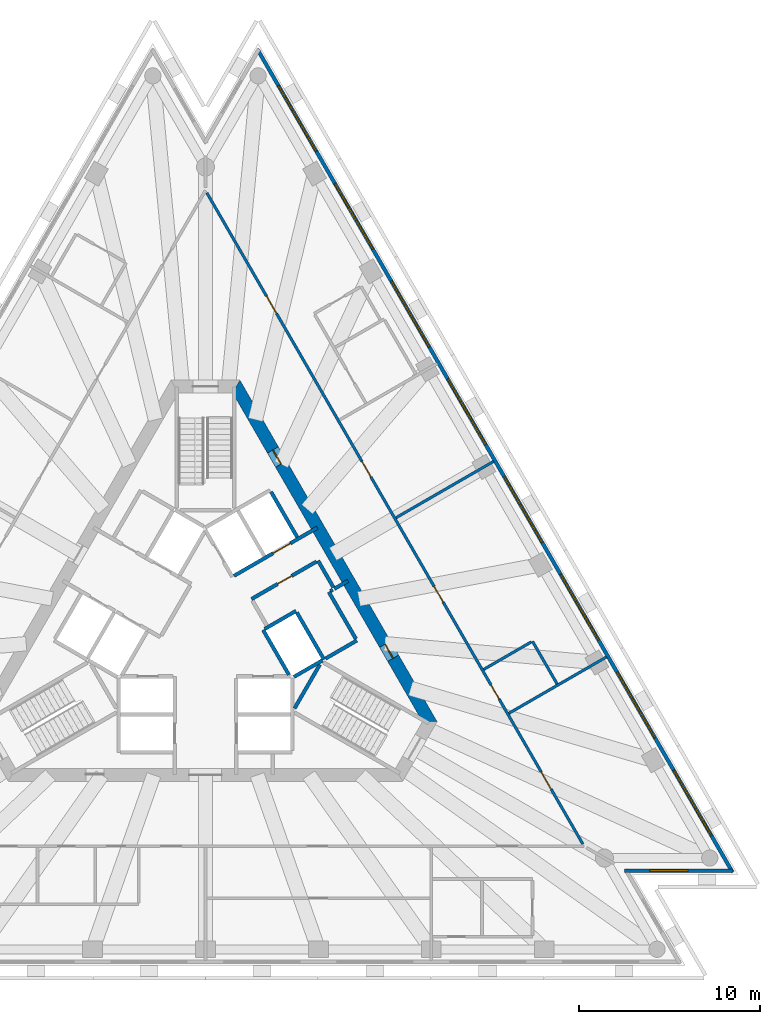
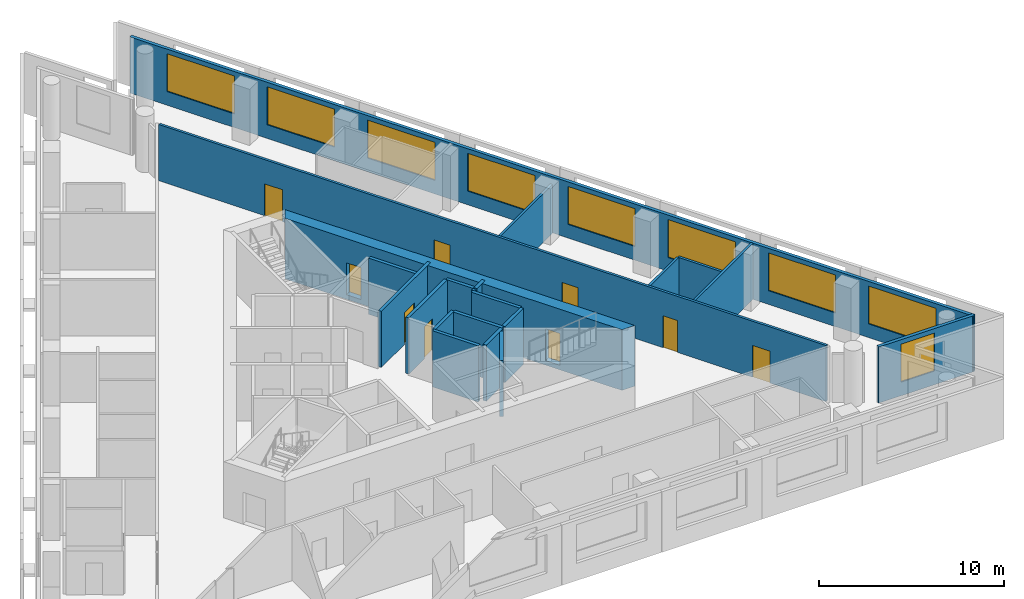
# One storey, part 6 of 10: 21 walls, 9 doors, 9 windows, 18 openings.
"""IFC4 building model written with IfcOpenShell, lengths in metres."""

from ifc_helpers import new_model, si_unit, direction, frame, frame_2d, origin, place, context, subcontext, project, spatial, polyline, rectangle, outline, extrude, material, layer, layer_set, layer_usage, type_object, element, fill, save


model = new_model("IFC4")

# Units and contexts
model_context = context("Model", 3, precision=1e-05, world=origin(), true_north=direction((0.0, 1.0)))
body_context = subcontext(model_context, "Body", "Model", "MODEL_VIEW")
ifc_project = project(units=[si_unit("LENGTHUNIT", "METRE"), si_unit("AREAUNIT", "SQUARE_METRE"), si_unit("VOLUMEUNIT", "CUBIC_METRE"), si_unit("PLANEANGLEUNIT", "RADIAN"), si_unit("MASSUNIT", "GRAM", prefix="KILO")], contexts=[model_context])

# Site, building, storey
site_placement = place(None, origin())
site = spatial("IfcSite", under=ifc_project, at=site_placement, CompositionType="ELEMENT")
building_placement = place(site_placement, origin())
building = spatial("IfcBuilding", under=site, at=building_placement, Name="Triada Interchange Tower", CompositionType="ELEMENT")
storey_placement = place(building_placement, frame((0.0, 0.0, 195.300048828125)))
storey = spatial("IfcBuildingStorey", under=building, at=storey_placement, Name="L45", CompositionType="ELEMENT", Elevation=195.300048828125)

# Wall
ifc_material_1 = material(Name="Concrete C30/37", Category="concrete")
ifc_layer_1 = layer(ifc_material_1, 0.199951171875)
ifc_layer_set_1 = layer_set([ifc_layer_1], Name="CORE WALL 200 EI 120")
wall_type_1 = type_object("IfcWallType", Name="CORE WALL 200 EI 120", PredefinedType="SOLIDWALL", material=ifc_layer_set_1)
wall_1_placement = place(storey_placement, frame((3.18994140625, -0.125, 0.0), z_axis=(0.0, 0.0, 1.0), x_axis=(0.499988658015, -0.866031951983, 0.0)))
element("IfcWall", 1, at=wall_1_placement, inside=storey, type_object=wall_type_1, Name="Wall L44 56", PredefinedType="SOLIDWALL", context=body_context, shape_type="SweptSolid", body=[
    extrude(rectangle(XDim=2.85791015625, YDim=0.199951171875, at=frame_2d((1.428955078125, 0.0))), origin(), (0.0, 0.0, 1.0), 3.699951171875),
])

# Wall, opening, door
wall_2_placement = place(storey_placement, frame((1.577880859375, 2.8740234375, 0.0), z_axis=(0.0, 0.0, 1.0), x_axis=(0.866045911672, 0.499964477614, 0.0)))
wall_2 = element("IfcWall", 2, at=wall_2_placement, inside=storey, type_object=wall_type_1, Name="Wall L44 57", PredefinedType="SOLIDWALL", context=body_context, shape_type="SweptSolid", body=[
    extrude(rectangle(XDim=5.32666015625, YDim=0.199951171875, at=frame_2d((2.663330078125, 0.0))), origin(), (0.0, 0.0, 1.0), 3.699951171875),
])
opening_1_placement = place(wall_2_placement, frame((2.49609375, 0.0, 0.0)))
opening_1 = element("IfcOpeningElement", 3, at=opening_1_placement, cuts=wall_2, Name="Opening LD-HR6", PredefinedType="OPENING", context=body_context, shape_type="SweptSolid", body=[
    extrude(rectangle(XDim=1.10009765625, YDim=2.10009765625, at=frame_2d((0.550048828125, 1.050048828125))), frame((0.0, 0.10986328125, 0.0), z_axis=(0.0, -1.0, 0.0), x_axis=(1.0, 0.0, 0.0)), (0.0, 0.0, 1.0), 0.219970703125),
])
ifc_material_2 = material(Name="Steel S235 door leaf", Category="steel")
door_type_1 = type_object("IfcDoorType", Name="LIFT LANDING DOOR 1100 EI 120", OperationType="SLIDING_TO_LEFT", PredefinedType="DOOR", material=ifc_material_2)
door_1_placement = place(opening_1_placement, origin())
door_1 = element("IfcDoor", 4, at=door_1_placement, inside=storey, type_object=door_type_1, Name="HR6 landing door L45", OperationType="SLIDING_TO_LEFT", OverallHeight=2.10009765625, OverallWidth=1.10009765625, PredefinedType="DOOR", context=body_context, shape_type="SweptSolid", body=[
    extrude(rectangle(XDim=1.10009765625, YDim=2.10009765625, at=frame_2d((0.550048828125, 1.050048828125))), frame((0.0, 0.02490234375, 0.0), z_axis=(0.0, -1.0, 0.0), x_axis=(1.0, 0.0, 0.0)), (0.0, 0.0, 1.0), 0.050048828125),
])
fill(opening_1, door_1)

# Walls
wall_3_placement = place(storey_placement, frame((3.278076171875, -0.071044921875, 0.0), z_axis=(0.0, 0.0, 1.0), x_axis=(0.865855657918, 0.500293893279, 0.0)))
element("IfcWall", 5, at=wall_3_placement, inside=storey, type_object=wall_type_1, Name="Wall L44 60", PredefinedType="SOLIDWALL", context=body_context, shape_type="SweptSolid", body=[
    extrude(rectangle(XDim=1.996826171875, YDim=0.199951171875, at=frame_2d((0.99853515625, 0.0))), origin(), (0.0, 0.0, 1.0), 3.699951171875),
])
wall_4_placement = place(storey_placement, frame((7.12890625, 2.153076171875, 0.0), z_axis=(0.0, 0.0, 1.0), x_axis=(0.866083962871, 0.499898558967, 0.0)))
element("IfcWall", 6, at=wall_4_placement, inside=storey, type_object=wall_type_1, Name="Wall L44 61", PredefinedType="SOLIDWALL", context=body_context, shape_type="SweptSolid", body=[
    extrude(rectangle(XDim=0.880126953125, YDim=0.199951171875, at=frame_2d((0.43994140625, 0.0))), origin(), (0.0, 0.0, 1.0), 3.699951171875),
])
wall_5_placement = place(storey_placement, frame((3.6259765625, 7.52001953125, 0.0), z_axis=(0.0, 0.0, 1.0), x_axis=(0.500060147554, -0.865990674793, 0.0)))
element("IfcWall", 7, at=wall_5_placement, inside=storey, type_object=wall_type_1, Name="Wall L44 62", PredefinedType="SOLIDWALL", context=body_context, shape_type="SweptSolid", body=[
    extrude(rectangle(XDim=2.899658203125, YDim=0.199951171875, at=frame_2d((1.44970703125, 0.0))), origin(), (0.0, 0.0, 1.0), 3.699951171875),
])
wall_6_placement = place(storey_placement, frame((5.056884765625, 0.841064453125, 0.0), z_axis=(0.0, 0.0, 1.0), x_axis=(0.499990139034, -0.866031096941, 0.0)))
element("IfcWall", 8, at=wall_6_placement, inside=storey, type_object=wall_type_1, Name="Wall L44 64", PredefinedType="SOLIDWALL", context=body_context, shape_type="SweptSolid", body=[
    extrude(rectangle(XDim=3.0, YDim=0.199951171875, at=frame_2d((1.5, 0.0))), origin(), (0.0, 0.0, 1.0), 3.699951171875),
])
wall_7_placement = place(storey_placement, frame((4.89990234375, -2.714111328125, 0.0), z_axis=(0.0, 0.0, 1.0), x_axis=(0.865846928409, 0.500309001083, 0.0)))
element("IfcWall", 9, at=wall_7_placement, inside=storey, type_object=wall_type_1, Name="Wall L44 65", PredefinedType="SOLIDWALL", context=body_context, shape_type="SweptSolid", body=[
    extrude(rectangle(XDim=1.813232421875, YDim=0.199951171875, at=frame_2d((0.90673828125, 0.0))), origin(), (0.0, 0.0, 1.0), 3.699951171875),
])
wall_8_placement = place(storey_placement, frame((6.22900390625, 3.7119140625, 0.0), z_axis=(0.0, 0.0, 1.0), x_axis=(0.499875724984, -0.86609714211, 0.0)))
element("IfcWall", 10, at=wall_8_placement, inside=storey, type_object=wall_type_1, Name="Wall L44 66", PredefinedType="SOLIDWALL", context=body_context, shape_type="SweptSolid", body=[
    extrude(rectangle(XDim=1.70068359375, YDim=0.199951171875, at=frame_2d((0.850341796875, 0.0))), origin(), (0.0, 0.0, 1.0), 3.699951171875),
])

# Wall, opening, door
wall_9_placement = place(storey_placement, frame((2.548095703125, 1.5869140625, 0.0), z_axis=(0.0, 0.0, 1.0), x_axis=(0.866004344652, 0.500036473714, 0.0)))
wall_9 = element("IfcWall", 11, at=wall_9_placement, inside=storey, type_object=wall_type_1, Name="Wall L44 67", PredefinedType="SOLIDWALL", context=body_context, shape_type="SweptSolid", body=[
    extrude(rectangle(XDim=4.150146484375, YDim=0.199951171875, at=frame_2d((2.0751953125, 0.0))), origin(), (0.0, 0.0, 1.0), 3.699951171875),
])
opening_2_placement = place(wall_9_placement, frame((1.675048828125, 0.0, 0.0)))
opening_2 = element("IfcOpeningElement", 12, at=opening_2_placement, cuts=wall_9, Name="Opening D44-47", PredefinedType="OPENING", context=body_context, shape_type="SweptSolid", body=[
    extrude(rectangle(XDim=0.89990234375, YDim=2.10009765625, at=frame_2d((0.449951171875, 1.050048828125))), frame((0.0, 0.10986328125, 0.0), z_axis=(0.0, -1.0, 0.0), x_axis=(1.0, 0.0, 0.0)), (0.0, 0.0, 1.0), 0.219970703125),
])
door_type_2 = type_object("IfcDoorType", Name="SERVICE DOOR 900 EI2 45-C5S200", OperationType="NOTDEFINED", PredefinedType="DOOR", material=ifc_material_2)
door_2_placement = place(opening_2_placement, origin())
door_2 = element("IfcDoor", 13, at=door_2_placement, inside=storey, type_object=door_type_2, Name="Door D44-47 L45", OperationType="SINGLE_SWING_RIGHT", OverallHeight=2.10009765625, OverallWidth=0.89990234375, PredefinedType="DOOR", context=body_context, shape_type="SweptSolid", body=[
    extrude(rectangle(XDim=0.89990234375, YDim=2.10009765625, at=frame_2d((0.449951171875, 1.050048828125))), frame((0.0, 0.02490234375, 0.0), z_axis=(0.0, -1.0, 0.0), x_axis=(1.0, 0.0, 0.0)), (0.0, 0.0, 1.0), 0.050048828125),
])
fill(opening_2, door_2)

# Walls
ifc_layer_2 = layer(ifc_material_1, 0.199951171875)
ifc_layer_set_2 = layer_set([ifc_layer_2], Name="CORE WALL 200 EI 90")
wall_type_2 = type_object("IfcWallType", Name="CORE WALL 200 EI 90", PredefinedType="SOLIDWALL", material=ifc_layer_set_2)
wall_10_placement = place(storey_placement, frame((6.64208984375, -1.7080078125, 0.0), z_axis=(0.0, 0.0, 1.0), x_axis=(0.866043441391, 0.499968756647, 0.0)))
element("IfcWall", 14, at=wall_10_placement, inside=storey, type_object=wall_type_2, Name="Wall L44 85", PredefinedType="SOLIDWALL", context=body_context, shape_type="SweptSolid", body=[
    extrude(rectangle(XDim=2.002197265625, YDim=0.199951171875, at=frame_2d((1.0009765625, 0.0))), origin(), (0.0, 0.0, 1.0), 3.699951171875),
])
wall_11_placement = place(storey_placement, frame((6.825927734375, 1.97802734375, 0.0), z_axis=(0.0, 0.0, 1.0), x_axis=(0.499990139034, -0.866031096941, 0.0)))
element("IfcWall", 15, at=wall_11_placement, inside=storey, type_object=wall_type_2, Name="Wall L44 86", PredefinedType="SOLIDWALL", context=body_context, shape_type="SweptSolid", body=[
    extrude(rectangle(XDim=3.0, YDim=0.199951171875, at=frame_2d((1.5, 0.0))), origin(), (0.0, 0.0, 1.0), 3.699951171875),
])
wall_12_placement = place(storey_placement, frame((6.912109375, 2.028076171875, 0.0), z_axis=(0.0, 0.0, 1.0), x_axis=(0.866559367082, 0.499074005857, 0.0)))
element("IfcWall", 16, at=wall_12_placement, inside=storey, type_object=wall_type_2, Name="Wall L44 87", PredefinedType="SOLIDWALL", context=body_context, shape_type="SweptSolid", body=[
    extrude(rectangle(XDim=0.152099609375, YDim=0.199951171875, at=frame_2d((0.076171875, 0.0))), origin(), (0.0, 0.0, 1.0), 3.699951171875),
])
ifc_layer_3 = layer(ifc_material_1, 0.199951171875)
ifc_layer_set_3 = layer_set([ifc_layer_3], Name="CORE WALL 200 REI 240")
wall_type_3 = type_object("IfcWallType", Name="CORE WALL 200 REI 240", PredefinedType="SOLIDWALL", material=ifc_layer_set_3)
wall_13_placement = place(storey_placement, frame((4.928955078125, -4.4619140625, 0.0), z_axis=(0.0, 0.0, 1.0), x_axis=(0.500200581029, 0.865909567298, 0.0)))
element("IfcWall", 17, at=wall_13_placement, inside=storey, type_object=wall_type_3, Name="Wall L44 95", PredefinedType="SOLIDWALL", context=body_context, shape_type="SweptSolid", body=[
    extrude(rectangle(XDim=2.799072265625, YDim=0.199951171875, at=frame_2d((1.3994140625, 0.0))), origin(), (0.0, 0.0, 1.0), 3.699951171875),
])

# Wall, openings, doors
ifc_material_3 = material(Name="Concrete C50/60", Category="concrete")
ifc_layer_4 = layer(ifc_material_3, 0.699951171875)
ifc_layer_set_4 = layer_set([ifc_layer_4], Name="Core wall C 700")
wall_type_4 = type_object("IfcWallType", Name="Core wall C 700", PredefinedType="SHEAR", material=ifc_layer_set_4)
wall_14_placement = place(storey_placement, frame((12.4130859375, -5.199951171875, -0.300048828125), z_axis=(0.0, 0.0, 1.0), x_axis=(-0.500011533395, 0.866018744874, 0.0)))
wall_14 = element("IfcWall", 18, at=wall_14_placement, inside=storey, type_object=wall_type_4, Name="Core wall WC06 L45", PredefinedType="SHEAR", context=body_context, shape_type="SweptSolid", body=[
    extrude(outline(polyline([(-0.201904296875, -0.35009765625), (1.781982421875, -0.35009765625), (3.76611328125, -0.35009765625), (5.75, -0.35009765625), (7.734130859375, -0.35009765625), (9.718017578125, -0.35009765625), (11.7021484375, -0.35009765625), (13.68603515625, -0.35009765625), (15.670166015625, -0.35009765625), (17.654052734375, -0.35009765625), (19.63818359375, -0.35009765625), (21.6220703125, -0.35009765625), (21.218017578125, 0.35009765625), (19.307373046875, 0.35009765625), (17.39697265625, 0.35009765625), (15.486328125, 0.35009765625), (13.57568359375, 0.35009765625), (11.665283203125, 0.35009765625), (9.754638671875, 0.35009765625), (7.84423828125, 0.35009765625), (5.93359375, 0.35009765625), (4.02294921875, 0.35009765625), (2.112548828125, 0.35009765625), (0.201904296875, 0.35009765625), (-0.201904296875, -0.35009765625)])), origin(), (0.0, 0.0, 1.0), 4.0),
])
opening_3_placement = place(wall_14_placement, frame((4.054931640625, 0.0, 0.300048828125)))
opening_3 = element("IfcOpeningElement", 19, at=opening_3_placement, cuts=wall_14, Name="Opening D44-45", PredefinedType="OPENING", context=body_context, shape_type="SweptSolid", body=[
    extrude(rectangle(XDim=0.89990234375, YDim=2.10009765625, at=frame_2d((0.449951171875, 1.050048828125))), frame((0.0, 0.360107421875, 0.0), z_axis=(0.0, -1.0, 0.0), x_axis=(1.0, 0.0, 0.0)), (0.0, 0.0, 1.0), 0.72021484375),
])
opening_4_placement = place(wall_14_placement, frame((16.465087890625, 0.0, 0.300048828125)))
opening_4 = element("IfcOpeningElement", 20, at=opening_4_placement, cuts=wall_14, Name="Opening D44-46", PredefinedType="OPENING", context=body_context, shape_type="SweptSolid", body=[
    extrude(rectangle(XDim=0.89990234375, YDim=2.10009765625, at=frame_2d((0.449951171875, 1.050048828125))), frame((0.0, 0.360107421875, 0.0), z_axis=(0.0, -1.0, 0.0), x_axis=(1.0, 0.0, 0.0)), (0.0, 0.0, 1.0), 0.72021484375),
])
door_type_3 = type_object("IfcDoorType", Name="RISER ACCESS DOOR 900 EI2 45-C5S200", OperationType="NOTDEFINED", PredefinedType="DOOR", material=ifc_material_2)
door_3_placement = place(opening_4_placement, origin())
door_3 = element("IfcDoor", 21, at=door_3_placement, inside=storey, type_object=door_type_3, Name="Door D44-46 L45", OperationType="SINGLE_SWING_RIGHT", OverallHeight=2.10009765625, OverallWidth=0.89990234375, PredefinedType="DOOR", context=body_context, shape_type="SweptSolid", body=[
    extrude(rectangle(XDim=0.89990234375, YDim=2.10009765625, at=frame_2d((0.449951171875, 1.050048828125))), frame((0.0, 0.02490234375, 0.0), z_axis=(0.0, -1.0, 0.0), x_axis=(1.0, 0.0, 0.0)), (0.0, 0.0, 1.0), 0.050048828125),
])
fill(opening_4, door_3)
door_4_placement = place(opening_3_placement, origin())
door_4 = element("IfcDoor", 22, at=door_4_placement, inside=storey, type_object=door_type_2, Name="Door D44-45 L45", OperationType="SINGLE_SWING_RIGHT", OverallHeight=2.10009765625, OverallWidth=0.89990234375, PredefinedType="DOOR", context=body_context, shape_type="SweptSolid", body=[
    extrude(rectangle(XDim=0.89990234375, YDim=2.10009765625, at=frame_2d((0.449951171875, 1.050048828125))), frame((0.0, 0.02490234375, 0.0), z_axis=(0.0, -1.0, 0.0), x_axis=(1.0, 0.0, 0.0)), (0.0, 0.0, 1.0), 0.050048828125),
])
fill(opening_3, door_4)

# Wall, opening, window
ifc_material_4 = material(Name="Cement board")
ifc_layer_5 = layer(ifc_material_4, 0.02001953125, Name="Cement board cladding")
ifc_material_5 = material(Name="Sheathing board")
ifc_layer_6 = layer(ifc_material_5, 0.014892578125, Name="Sheathing board")
ifc_material_6 = material(Name="Mineral wool")
ifc_layer_7 = layer(ifc_material_6, 0.14990234375, Name="Mineral wool between steel studs")
ifc_material_7 = material(Name="Gypsum board")
ifc_layer_8 = layer(ifc_material_7, 0.014892578125, Name="Plasterboard lining")
ifc_layer_set_5 = layer_set([ifc_layer_5, ifc_layer_6, ifc_layer_7, ifc_layer_8], Name="External wall 200")
ifc_layer_usage = layer_usage(ifc_layer_set_5, "AXIS2", "POSITIVE", -0.10009765625)
wall_type_5 = type_object("IfcWallType", Name="External wall 200", PredefinedType="ELEMENTEDWALL", material=ifc_layer_set_5)
wall_15_placement = place(storey_placement, frame((23.201904296875, -13.447021484375, 0.0), z_axis=(0.0, 0.0, 1.0), x_axis=(1.0, 0.0, 0.0)))
wall_15 = element("IfcWall", 23, at=wall_15_placement, inside=storey, type_object=wall_type_5, material=ifc_layer_usage, Name="External wall L45 SE-2", PredefinedType="ELEMENTEDWALL", context=body_context, shape_type="SweptSolid", body=[
    extrude(rectangle(XDim=5.988037109375, YDim=0.199951171875, at=frame_2d((2.994140625, 0.0))), origin(), (0.0, 0.0, 1.0), 3.699951171875),
])
opening_5_placement = place(wall_15_placement, frame((1.389892578125, 0.0, 0.89990234375)))
opening_5 = element("IfcOpeningElement", 24, at=opening_5_placement, cuts=wall_15, Name="Opening WC20", PredefinedType="OPENING", context=body_context, shape_type="SweptSolid", body=[
    extrude(rectangle(XDim=2.10009765625, YDim=2.5, at=frame_2d((1.050048828125, 1.25))), frame((0.0, 0.10986328125, 0.0), z_axis=(0.0, -1.0, 0.0), x_axis=(1.0, 0.0, 0.0)), (0.0, 0.0, 1.0), 0.219970703125),
])
ifc_material_8 = material(Name="Double glazed aluminium window", Category="aluminium")
window_type_1 = type_object("IfcWindowType", Name="Ribbon window C pocket", PartitioningType="SINGLE_PANEL", PredefinedType="WINDOW", material=ifc_material_8)
window_1_placement = place(opening_5_placement, origin())
window_1 = element("IfcWindow", 25, at=window_1_placement, inside=storey, type_object=window_type_1, Name="Window L45 SE-2 1", OverallHeight=2.5, OverallWidth=2.10009765625, PartitioningType="SINGLE_PANEL", PredefinedType="WINDOW", context=body_context, shape_type="SweptSolid", body=[
    extrude(rectangle(XDim=2.10009765625, YDim=2.5, at=frame_2d((1.050048828125, 1.25))), frame((0.0, 0.030029296875, 0.0), z_axis=(0.0, -1.0, 0.0), x_axis=(1.0, 0.0, 0.0)), (0.0, 0.0, 1.0), 0.06005859375),
])
fill(opening_5, window_1)

# Wall, openings, windows
wall_16_placement = place(storey_placement, frame((29.1650390625, -13.52490234375, 0.0), z_axis=(0.0, 0.0, 1.0), x_axis=(-0.500008941164, 0.86602024154, 0.0)))
wall_16 = element("IfcWall", 26, at=wall_16_placement, inside=storey, type_object=wall_type_5, material=ifc_layer_usage, Name="External wall L45 NE", PredefinedType="ELEMENTEDWALL", context=body_context, shape_type="SweptSolid", body=[
    extrude(rectangle(XDim=52.5712890625, YDim=0.199951171875, at=frame_2d((26.28564453125, 0.0))), origin(), (0.0, 0.0, 1.0), 3.699951171875),
])
opening_6_placement = place(wall_16_placement, frame((2.326904296875, 0.0, 0.89990234375)))
opening_6 = element("IfcOpeningElement", 27, at=opening_6_placement, cuts=wall_16, Name="Opening WC21", PredefinedType="OPENING", context=body_context, shape_type="SweptSolid", body=[
    extrude(rectangle(XDim=4.199951171875, YDim=2.5, at=frame_2d((2.10009765625, 1.25))), frame((0.0, 0.10986328125, 0.0), z_axis=(0.0, -1.0, 0.0), x_axis=(1.0, 0.0, 0.0)), (0.0, 0.0, 1.0), 0.219970703125),
])
opening_7_placement = place(wall_16_placement, frame((8.574951171875, 0.0, 0.89990234375)))
opening_7 = element("IfcOpeningElement", 28, at=opening_7_placement, cuts=wall_16, Name="Opening WC22", PredefinedType="OPENING", context=body_context, shape_type="SweptSolid", body=[
    extrude(rectangle(XDim=4.199951171875, YDim=2.5, at=frame_2d((2.10009765625, 1.25))), frame((0.0, 0.10986328125, 0.0), z_axis=(0.0, -1.0, 0.0), x_axis=(1.0, 0.0, 0.0)), (0.0, 0.0, 1.0), 0.219970703125),
])
opening_8_placement = place(wall_16_placement, frame((14.822998046875, 0.0, 0.89990234375)))
opening_8 = element("IfcOpeningElement", 29, at=opening_8_placement, cuts=wall_16, Name="Opening WC23", PredefinedType="OPENING", context=body_context, shape_type="SweptSolid", body=[
    extrude(rectangle(XDim=4.199951171875, YDim=2.5, at=frame_2d((2.10009765625, 1.25))), frame((0.0, 0.10986328125, 0.0), z_axis=(0.0, -1.0, 0.0), x_axis=(1.0, 0.0, 0.0)), (0.0, 0.0, 1.0), 0.219970703125),
])
opening_9_placement = place(wall_16_placement, frame((21.072021484375, 0.0, 0.89990234375)))
opening_9 = element("IfcOpeningElement", 30, at=opening_9_placement, cuts=wall_16, Name="Opening WC24", PredefinedType="OPENING", context=body_context, shape_type="SweptSolid", body=[
    extrude(rectangle(XDim=4.199951171875, YDim=2.5, at=frame_2d((2.10009765625, 1.25))), frame((0.0, 0.10986328125, 0.0), z_axis=(0.0, -1.0, 0.0), x_axis=(1.0, 0.0, 0.0)), (0.0, 0.0, 1.0), 0.219970703125),
])
opening_10_placement = place(wall_16_placement, frame((27.320068359375, 0.0, 0.89990234375)))
opening_10 = element("IfcOpeningElement", 31, at=opening_10_placement, cuts=wall_16, Name="Opening WC25", PredefinedType="OPENING", context=body_context, shape_type="SweptSolid", body=[
    extrude(rectangle(XDim=4.199951171875, YDim=2.5, at=frame_2d((2.10009765625, 1.25))), frame((0.0, 0.10986328125, 0.0), z_axis=(0.0, -1.0, 0.0), x_axis=(1.0, 0.0, 0.0)), (0.0, 0.0, 1.0), 0.219970703125),
])
opening_11_placement = place(wall_16_placement, frame((33.568115234375, 0.0, 0.89990234375)))
opening_11 = element("IfcOpeningElement", 32, at=opening_11_placement, cuts=wall_16, Name="Opening WC26", PredefinedType="OPENING", context=body_context, shape_type="SweptSolid", body=[
    extrude(rectangle(XDim=4.199951171875, YDim=2.5, at=frame_2d((2.10009765625, 1.25))), frame((0.0, 0.10986328125, 0.0), z_axis=(0.0, -1.0, 0.0), x_axis=(1.0, 0.0, 0.0)), (0.0, 0.0, 1.0), 0.219970703125),
])
opening_12_placement = place(wall_16_placement, frame((39.81591796875, 0.0, 0.89990234375)))
opening_12 = element("IfcOpeningElement", 33, at=opening_12_placement, cuts=wall_16, Name="Opening WC27", PredefinedType="OPENING", context=body_context, shape_type="SweptSolid", body=[
    extrude(rectangle(XDim=4.199951171875, YDim=2.5, at=frame_2d((2.10009765625, 1.25))), frame((0.0, 0.10986328125, 0.0), z_axis=(0.0, -1.0, 0.0), x_axis=(1.0, 0.0, 0.0)), (0.0, 0.0, 1.0), 0.219970703125),
])
opening_13_placement = place(wall_16_placement, frame((46.06396484375, 0.0, 0.89990234375)))
opening_13 = element("IfcOpeningElement", 34, at=opening_13_placement, cuts=wall_16, Name="Opening WC28", PredefinedType="OPENING", context=body_context, shape_type="SweptSolid", body=[
    extrude(rectangle(XDim=4.199951171875, YDim=2.5, at=frame_2d((2.10009765625, 1.25))), frame((0.0, 0.10986328125, 0.0), z_axis=(0.0, -1.0, 0.0), x_axis=(1.0, 0.0, 0.0)), (0.0, 0.0, 1.0), 0.219970703125),
])
window_type_2 = type_object("IfcWindowType", Name="Ribbon window C face", PartitioningType="SINGLE_PANEL", PredefinedType="WINDOW", material=ifc_material_8)
window_2_placement = place(opening_6_placement, origin())
window_2 = element("IfcWindow", 35, at=window_2_placement, inside=storey, type_object=window_type_2, Name="Window L45 NE 1", OverallHeight=2.5, OverallWidth=4.199951171875, PartitioningType="SINGLE_PANEL", PredefinedType="WINDOW", context=body_context, shape_type="SweptSolid", body=[
    extrude(rectangle(XDim=4.199951171875, YDim=2.5, at=frame_2d((2.10009765625, 1.25))), frame((0.0, 0.030029296875, 0.0), z_axis=(0.0, -1.0, 0.0), x_axis=(1.0, 0.0, 0.0)), (0.0, 0.0, 1.0), 0.06005859375),
])
fill(opening_6, window_2)
window_3_placement = place(opening_7_placement, origin())
window_3 = element("IfcWindow", 36, at=window_3_placement, inside=storey, type_object=window_type_2, Name="Window L45 NE 2", OverallHeight=2.5, OverallWidth=4.199951171875, PartitioningType="SINGLE_PANEL", PredefinedType="WINDOW", context=body_context, shape_type="SweptSolid", body=[
    extrude(rectangle(XDim=4.199951171875, YDim=2.5, at=frame_2d((2.10009765625, 1.25))), frame((0.0, 0.030029296875, 0.0), z_axis=(0.0, -1.0, 0.0), x_axis=(1.0, 0.0, 0.0)), (0.0, 0.0, 1.0), 0.06005859375),
])
fill(opening_7, window_3)
window_4_placement = place(opening_8_placement, origin())
window_4 = element("IfcWindow", 37, at=window_4_placement, inside=storey, type_object=window_type_2, Name="Window L45 NE 3", OverallHeight=2.5, OverallWidth=4.199951171875, PartitioningType="SINGLE_PANEL", PredefinedType="WINDOW", context=body_context, shape_type="SweptSolid", body=[
    extrude(rectangle(XDim=4.199951171875, YDim=2.5, at=frame_2d((2.10009765625, 1.25))), frame((0.0, 0.030029296875, 0.0), z_axis=(0.0, -1.0, 0.0), x_axis=(1.0, 0.0, 0.0)), (0.0, 0.0, 1.0), 0.06005859375),
])
fill(opening_8, window_4)
window_5_placement = place(opening_9_placement, origin())
window_5 = element("IfcWindow", 38, at=window_5_placement, inside=storey, type_object=window_type_2, Name="Window L45 NE 4", OverallHeight=2.5, OverallWidth=4.199951171875, PartitioningType="SINGLE_PANEL", PredefinedType="WINDOW", context=body_context, shape_type="SweptSolid", body=[
    extrude(rectangle(XDim=4.199951171875, YDim=2.5, at=frame_2d((2.10009765625, 1.25))), frame((0.0, 0.030029296875, 0.0), z_axis=(0.0, -1.0, 0.0), x_axis=(1.0, 0.0, 0.0)), (0.0, 0.0, 1.0), 0.06005859375),
])
fill(opening_9, window_5)
window_6_placement = place(opening_10_placement, origin())
window_6 = element("IfcWindow", 39, at=window_6_placement, inside=storey, type_object=window_type_2, Name="Window L45 NE 5", OverallHeight=2.5, OverallWidth=4.199951171875, PartitioningType="SINGLE_PANEL", PredefinedType="WINDOW", context=body_context, shape_type="SweptSolid", body=[
    extrude(rectangle(XDim=4.199951171875, YDim=2.5, at=frame_2d((2.10009765625, 1.25))), frame((0.0, 0.030029296875, 0.0), z_axis=(0.0, -1.0, 0.0), x_axis=(1.0, 0.0, 0.0)), (0.0, 0.0, 1.0), 0.06005859375),
])
fill(opening_10, window_6)
window_7_placement = place(opening_11_placement, origin())
window_7 = element("IfcWindow", 40, at=window_7_placement, inside=storey, type_object=window_type_2, Name="Window L45 NE 6", OverallHeight=2.5, OverallWidth=4.199951171875, PartitioningType="SINGLE_PANEL", PredefinedType="WINDOW", context=body_context, shape_type="SweptSolid", body=[
    extrude(rectangle(XDim=4.199951171875, YDim=2.5, at=frame_2d((2.10009765625, 1.25))), frame((0.0, 0.030029296875, 0.0), z_axis=(0.0, -1.0, 0.0), x_axis=(1.0, 0.0, 0.0)), (0.0, 0.0, 1.0), 0.06005859375),
])
fill(opening_11, window_7)
window_8_placement = place(opening_12_placement, origin())
window_8 = element("IfcWindow", 41, at=window_8_placement, inside=storey, type_object=window_type_2, Name="Window L45 NE 7", OverallHeight=2.5, OverallWidth=4.199951171875, PartitioningType="SINGLE_PANEL", PredefinedType="WINDOW", context=body_context, shape_type="SweptSolid", body=[
    extrude(rectangle(XDim=4.199951171875, YDim=2.5, at=frame_2d((2.10009765625, 1.25))), frame((0.0, 0.030029296875, 0.0), z_axis=(0.0, -1.0, 0.0), x_axis=(1.0, 0.0, 0.0)), (0.0, 0.0, 1.0), 0.06005859375),
])
fill(opening_12, window_8)
window_9_placement = place(opening_13_placement, origin())
window_9 = element("IfcWindow", 42, at=window_9_placement, inside=storey, type_object=window_type_2, Name="Window L45 NE 8", OverallHeight=2.5, OverallWidth=4.199951171875, PartitioningType="SINGLE_PANEL", PredefinedType="WINDOW", context=body_context, shape_type="SweptSolid", body=[
    extrude(rectangle(XDim=4.199951171875, YDim=2.5, at=frame_2d((2.10009765625, 1.25))), frame((0.0, 0.030029296875, 0.0), z_axis=(0.0, -1.0, 0.0), x_axis=(1.0, 0.0, 0.0)), (0.0, 0.0, 1.0), 0.06005859375),
])
fill(opening_13, window_9)

# Wall
ifc_material_9 = material(Name="Gypsum board partition")
ifc_layer_9 = layer(ifc_material_9, 0.14990234375)
ifc_layer_set_6 = layer_set([ifc_layer_9], Name="PARTITION 150 EI 180")
wall_type_6 = type_object("IfcWallType", Name="PARTITION 150 EI 180", PredefinedType="PARTITIONING", material=ifc_layer_set_6)
wall_17_placement = place(storey_placement, frame((10.5439453125, 6.0869140625, 0.0), z_axis=(0.0, 0.0, 1.0), x_axis=(0.86601944389, 0.500010322698, 0.0)))
element("IfcWall", 43, at=wall_17_placement, inside=storey, type_object=wall_type_6, Name="Wall L44 2", PredefinedType="PARTITIONING", context=body_context, shape_type="SweptSolid", body=[
    extrude(rectangle(XDim=6.239990234375, YDim=0.14990234375, at=frame_2d((3.1201171875, 0.0))), origin(), (0.0, 0.0, 1.0), 3.199951171875),
])

# Wall, openings, doors
wall_18_placement = place(storey_placement, frame((0.074951171875, 24.070068359375, 0.0), z_axis=(0.0, 0.0, 1.0), x_axis=(0.49999939571, -0.866025752671, 0.0)))
wall_18 = element("IfcWall", 44, at=wall_18_placement, inside=storey, type_object=wall_type_6, Name="Wall L44 21", PredefinedType="PARTITIONING", context=body_context, shape_type="SweptSolid", body=[
    extrude(rectangle(XDim=41.6142578125, YDim=0.14990234375, at=frame_2d((20.80712890625, 0.0))), origin(), (0.0, 0.0, 1.0), 3.699951171875),
])
opening_14_placement = place(wall_18_placement, frame((37.014892578125, 0.0, 0.0)))
opening_14 = element("IfcOpeningElement", 45, at=opening_14_placement, cuts=wall_18, Name="Opening D44-21", PredefinedType="OPENING", context=body_context, shape_type="SweptSolid", body=[
    extrude(rectangle(XDim=1.10009765625, YDim=2.10009765625, at=frame_2d((0.550048828125, 1.050048828125))), frame((0.0, 0.0849609375, 0.0), z_axis=(0.0, -1.0, 0.0), x_axis=(1.0, 0.0, 0.0)), (0.0, 0.0, 1.0), 0.169921875),
])
opening_15_placement = place(wall_18_placement, frame((25.154052734375, 0.0, 0.0)))
opening_15 = element("IfcOpeningElement", 46, at=opening_15_placement, cuts=wall_18, Name="Opening D44-22", PredefinedType="OPENING", context=body_context, shape_type="SweptSolid", body=[
    extrude(rectangle(XDim=1.0, YDim=2.10009765625, at=frame_2d((0.5, 1.050048828125))), frame((0.0, 0.0849609375, 0.0), z_axis=(0.0, -1.0, 0.0), x_axis=(1.0, 0.0, 0.0)), (0.0, 0.0, 1.0), 0.169921875),
])
opening_16_placement = place(wall_18_placement, frame((31.4541015625, 0.0, 0.0)))
opening_16 = element("IfcOpeningElement", 47, at=opening_16_placement, cuts=wall_18, Name="Opening D44-23", PredefinedType="OPENING", context=body_context, shape_type="SweptSolid", body=[
    extrude(rectangle(XDim=0.89990234375, YDim=2.10009765625, at=frame_2d((0.449951171875, 1.050048828125))), frame((0.0, 0.0849609375, 0.0), z_axis=(0.0, -1.0, 0.0), x_axis=(1.0, 0.0, 0.0)), (0.0, 0.0, 1.0), 0.169921875),
])
opening_17_placement = place(wall_18_placement, frame((17.156982421875, 0.0, 0.0)))
opening_17 = element("IfcOpeningElement", 48, at=opening_17_placement, cuts=wall_18, Name="Opening D44-24", PredefinedType="OPENING", context=body_context, shape_type="SweptSolid", body=[
    extrude(rectangle(XDim=1.0, YDim=2.10009765625, at=frame_2d((0.5, 1.050048828125))), frame((0.0, 0.0849609375, 0.0), z_axis=(0.0, -1.0, 0.0), x_axis=(1.0, 0.0, 0.0)), (0.0, 0.0, 1.0), 0.169921875),
])
opening_18_placement = place(wall_18_placement, frame((6.60888671875, 0.0, 0.0)))
opening_18 = element("IfcOpeningElement", 49, at=opening_18_placement, cuts=wall_18, Name="Opening D44-25", PredefinedType="OPENING", context=body_context, shape_type="SweptSolid", body=[
    extrude(rectangle(XDim=1.10009765625, YDim=2.10009765625, at=frame_2d((0.550048828125, 1.050048828125))), frame((0.0, 0.0849609375, 0.0), z_axis=(0.0, -1.0, 0.0), x_axis=(1.0, 0.0, 0.0)), (0.0, 0.0, 1.0), 0.169921875),
])
door_type_4 = type_object("IfcDoorType", Name="ROOM DOOR 1000 EI2 90-C5S200", OperationType="NOTDEFINED", PredefinedType="DOOR", material=ifc_material_2)
door_5_placement = place(opening_15_placement, origin())
door_5 = element("IfcDoor", 50, at=door_5_placement, inside=storey, type_object=door_type_4, Name="Door D44-22 L45", OperationType="SINGLE_SWING_RIGHT", OverallHeight=2.10009765625, OverallWidth=1.0, PredefinedType="DOOR", context=body_context, shape_type="SweptSolid", body=[
    extrude(rectangle(XDim=1.0, YDim=2.10009765625, at=frame_2d((0.5, 1.050048828125))), frame((0.0, 0.02490234375, 0.0), z_axis=(0.0, -1.0, 0.0), x_axis=(1.0, 0.0, 0.0)), (0.0, 0.0, 1.0), 0.050048828125),
])
fill(opening_15, door_5)
door_6_placement = place(opening_17_placement, origin())
door_6 = element("IfcDoor", 51, at=door_6_placement, inside=storey, type_object=door_type_4, Name="Door D44-24 L45", OperationType="SINGLE_SWING_RIGHT", OverallHeight=2.10009765625, OverallWidth=1.0, PredefinedType="DOOR", context=body_context, shape_type="SweptSolid", body=[
    extrude(rectangle(XDim=1.0, YDim=2.10009765625, at=frame_2d((0.5, 1.050048828125))), frame((0.0, 0.02490234375, 0.0), z_axis=(0.0, -1.0, 0.0), x_axis=(1.0, 0.0, 0.0)), (0.0, 0.0, 1.0), 0.050048828125),
])
fill(opening_17, door_6)
door_type_5 = type_object("IfcDoorType", Name="ROOM DOOR 900 EI2 90-C5S200", OperationType="NOTDEFINED", PredefinedType="DOOR", material=ifc_material_2)
door_7_placement = place(opening_16_placement, origin())
door_7 = element("IfcDoor", 52, at=door_7_placement, inside=storey, type_object=door_type_5, Name="Door D44-23 L45", OperationType="SINGLE_SWING_RIGHT", OverallHeight=2.10009765625, OverallWidth=0.89990234375, PredefinedType="DOOR", context=body_context, shape_type="SweptSolid", body=[
    extrude(rectangle(XDim=0.89990234375, YDim=2.10009765625, at=frame_2d((0.449951171875, 1.050048828125))), frame((0.0, 0.02490234375, 0.0), z_axis=(0.0, -1.0, 0.0), x_axis=(1.0, 0.0, 0.0)), (0.0, 0.0, 1.0), 0.050048828125),
])
fill(opening_16, door_7)
door_type_6 = type_object("IfcDoorType", Name="TENANCY ENTRANCE DOOR 1100 EI2 90-C5S200", OperationType="NOTDEFINED", PredefinedType="DOOR", material=ifc_material_2)
door_8_placement = place(opening_14_placement, origin())
door_8 = element("IfcDoor", 53, at=door_8_placement, inside=storey, type_object=door_type_6, Name="Door D44-21 L45", OperationType="SINGLE_SWING_RIGHT", OverallHeight=2.10009765625, OverallWidth=1.10009765625, PredefinedType="DOOR", context=body_context, shape_type="SweptSolid", body=[
    extrude(rectangle(XDim=1.10009765625, YDim=2.10009765625, at=frame_2d((0.550048828125, 1.050048828125))), frame((0.0, 0.02490234375, 0.0), z_axis=(0.0, -1.0, 0.0), x_axis=(1.0, 0.0, 0.0)), (0.0, 0.0, 1.0), 0.050048828125),
])
fill(opening_14, door_8)
door_9_placement = place(opening_18_placement, origin())
door_9 = element("IfcDoor", 54, at=door_9_placement, inside=storey, type_object=door_type_6, Name="Door D44-25 L45", OperationType="SINGLE_SWING_LEFT", OverallHeight=2.10009765625, OverallWidth=1.10009765625, PredefinedType="DOOR", context=body_context, shape_type="SweptSolid", body=[
    extrude(rectangle(XDim=1.10009765625, YDim=2.10009765625, at=frame_2d((0.550048828125, 1.050048828125))), frame((0.0, 0.02490234375, 0.0), z_axis=(0.0, -1.0, 0.0), x_axis=(1.0, 0.0, 0.0)), (0.0, 0.0, 1.0), 0.050048828125),
])
fill(opening_18, door_9)

# Walls
wall_19_placement = place(storey_placement, frame((18.095947265625, -0.7490234375, 0.0), z_axis=(0.0, 0.0, 1.0), x_axis=(0.500156697144, -0.865934915743, 0.0)))
element("IfcWall", 55, at=wall_19_placement, inside=storey, type_object=wall_type_6, Name="Wall L44 24", PredefinedType="PARTITIONING", context=body_context, shape_type="SweptSolid", body=[
    extrude(rectangle(XDim=2.725341796875, YDim=0.14990234375, at=frame_2d((1.36279296875, 0.0))), origin(), (0.0, 0.0, 1.0), 3.699951171875),
])
wall_20_placement = place(storey_placement, frame((15.39208984375, -2.31005859375, 0.0), z_axis=(0.0, 0.0, 1.0), x_axis=(0.865941409278, 0.50014545454, 0.0)))
element("IfcWall", 56, at=wall_20_placement, inside=storey, type_object=wall_type_6, Name="Wall L44 25", PredefinedType="PARTITIONING", context=body_context, shape_type="SweptSolid", body=[
    extrude(rectangle(XDim=3.04736328125, YDim=0.14990234375, at=frame_2d((1.523681640625, 0.0))), origin(), (0.0, 0.0, 1.0), 3.699951171875),
])
wall_21_placement = place(storey_placement, frame((16.7919921875, -4.735107421875, 0.0), z_axis=(0.0, 0.0, 1.0), x_axis=(0.86601944389, 0.500010322698, 0.0)))
element("IfcWall", 57, at=wall_21_placement, inside=storey, type_object=wall_type_6, Name="Wall L44 26", PredefinedType="PARTITIONING", context=body_context, shape_type="SweptSolid", body=[
    extrude(rectangle(XDim=6.239990234375, YDim=0.14990234375, at=frame_2d((3.1201171875, 0.0))), origin(), (0.0, 0.0, 1.0), 3.699951171875),
])

save(model, "model.ifc")
